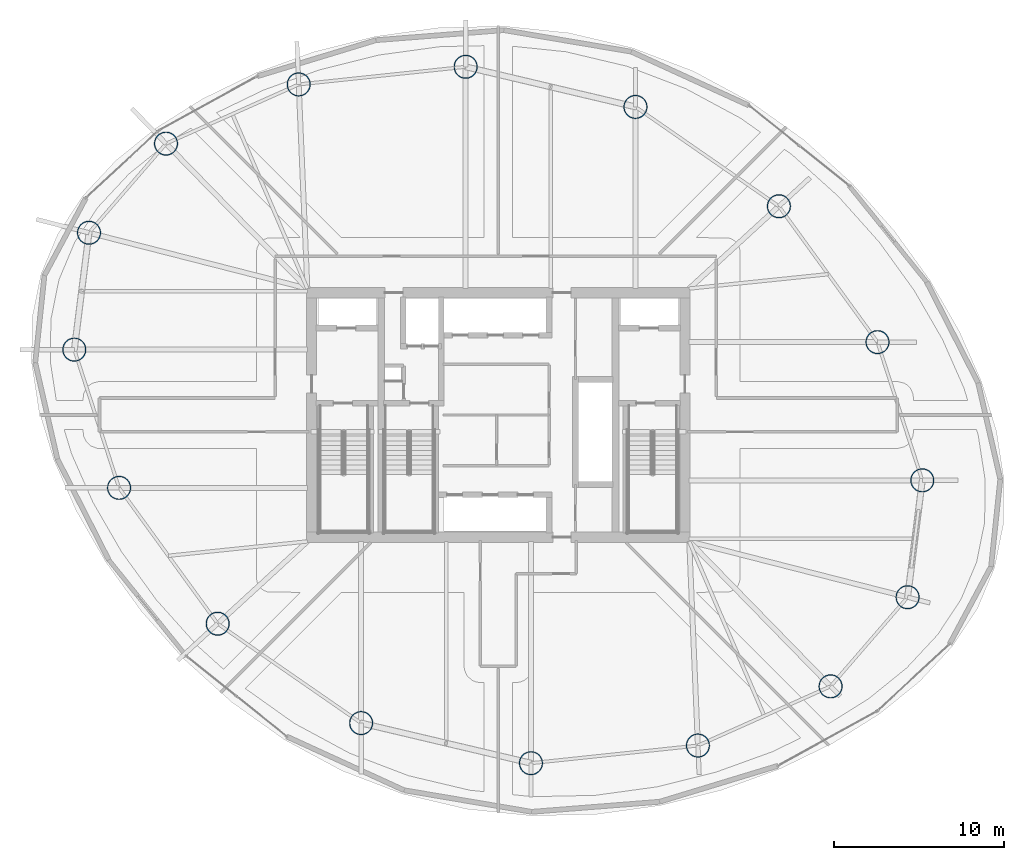
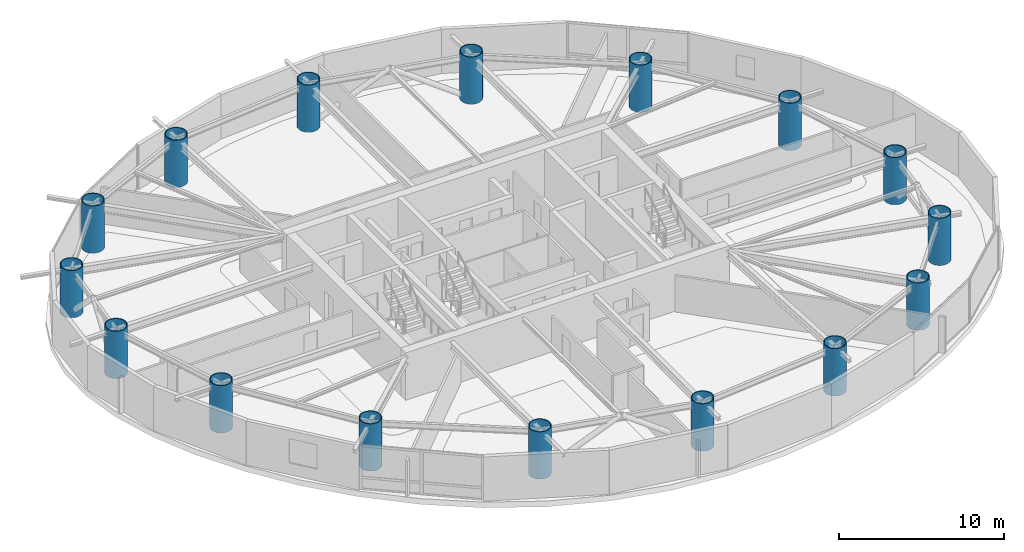
# One storey, part 1 of 21: 16 columns.
"""IFC4 building model written with IfcOpenShell, lengths in metres."""

from ifc_helpers import new_model, si_unit, direction, frame, origin, origin_2d, place, context, subcontext, project, spatial, hollow_circle, extrude, material, material_profile, profile_set, type_object, element, save


model = new_model("IFC4")

# Units and contexts
model_context = context("Model", 3, precision=1e-05, world=origin(), true_north=direction((0.0, 1.0)))
body_context = subcontext(model_context, "Body", "Model", "MODEL_VIEW")
ifc_project = project(units=[si_unit("LENGTHUNIT", "METRE"), si_unit("AREAUNIT", "SQUARE_METRE"), si_unit("VOLUMEUNIT", "CUBIC_METRE"), si_unit("PLANEANGLEUNIT", "RADIAN"), si_unit("MASSUNIT", "GRAM", prefix="KILO")], contexts=[model_context])

# Site, building, storey
site_placement = place(None, origin())
site = spatial("IfcSite", under=ifc_project, at=site_placement, CompositionType="ELEMENT")
building_placement = place(site_placement, origin())
building = spatial("IfcBuilding", under=site, at=building_placement, Name="Bramvorn Convention Spire", CompositionType="ELEMENT")
storey_placement = place(building_placement, frame((0.0, 0.0, 102.800048828125)))
storey = spatial("IfcBuildingStorey", under=building, at=storey_placement, Name="L24", CompositionType="ELEMENT", Elevation=102.800048828125)

# Columns
ifc_material = material(Name="Steel CSA G40.21 Grade 350 (350W)", Category="steel")
ifc_material_profile = material_profile(ifc_material, hollow_circle(Radius=0.699951171875, WallThickness=0.054931640625, at=origin_2d()))
ifc_profile_set = profile_set([ifc_material_profile], Name="Steel CSA G40.21 Grade 350 (350W) - CFT1400X55")
column_type = type_object("IfcColumnType", Name="COL-CFT1400X55", PredefinedType="COLUMN", material=ifc_profile_set)
for number, where, z_axis, x_axis, name in (
    (1, (62.11767578125, 15.26220703125, 0.0), (0.0, 0.0, 1.0), (1.0, 0.0, 0.0), "L24 composite CFT mega-column MC01"),
    (2, (62.983642578125, 22.148193359375, 0.0), (0.0, 0.0, 1.0), (1.0, 0.0, 0.0), "L24 composite CFT mega-column MC02"),
    (3, (60.345703125, 30.293212890625, 0.0), (0.0, 0.0, 1.0), (1.0, 0.0, 0.0), "L24 composite CFT mega-column MC03"),
    (4, (54.534912109375, 38.299072265625, 0.0), (0.0, 0.0, 1.0), (1.0, 0.0, 0.0), "L24 composite CFT mega-column MC04"),
    (5, (46.082763671875, 44.154052734375, 0.0), (0.0, 0.0, 1.0), (1.0, 0.0, 0.0), "L24 composite CFT mega-column MC05"),
    (6, (36.075927734375, 46.517333984375, 0.0), (0.0, 0.0, 1.0), (1.0, 0.0, 0.0), "L24 composite CFT mega-column MC06"),
    (7, (26.23828125, 45.478759765625, 0.0), (0.0, 0.0, 1.0), (1.0, 0.0, 0.0), "L24 composite CFT mega-column MC07"),
    (8, (18.420166015625, 41.9892578125, 0.0), (0.0, 0.0, 1.0), (1.0, 0.0, 0.0), "L24 composite CFT mega-column MC08"),
    (9, (13.88232421875, 36.73779296875, 0.0), (0.0, 0.0, 1.0), (1.0, 0.0, 0.0), "L24 composite CFT mega-column MC09"),
    (10, (13.016357421875, 29.851806640625, 0.0), (0.0, 0.0, 1.0), (1.0, 0.0, 0.0), "L24 composite CFT mega-column MC10"),
    (11, (15.654296875, 21.706787109375, 0.0), (0.0, 0.0, 1.0), (1.0, 0.0, 0.0), "L24 composite CFT mega-column MC11"),
    (12, (21.465087890625, 13.700927734375, 0.0), (0.0, 0.0, 1.0), (1.0, 0.0, 0.0), "L24 composite CFT mega-column MC12"),
    (13, (29.917236328125, 7.845947265625, 0.0), (0.0, 0.0, 1.0), (1.0, 0.0, 0.0), "L24 composite CFT mega-column MC13"),
    (14, (39.924072265625, 5.482666015625, 0.0), (0.0, 0.0, 1.0), (1.0, 0.0, 0.0), "L24 composite CFT mega-column MC14"),
    (15, (49.76171875, 6.521240234375, 0.0), (0.0, 0.0, 1.0), (1.0, 0.0, 0.0), "L24 composite CFT mega-column MC15"),
    (16, (57.579833984375, 10.0107421875, 0.0), (0.0, 0.0, 1.0), (1.0, 0.0, 0.0), "L24 composite CFT mega-column MC16"),
):
    element("IfcColumn", number, at=place(storey_placement, frame(where, z_axis=z_axis, x_axis=x_axis)), inside=storey, type_object=column_type, Name=name, PredefinedType="COLUMN", context=body_context, shape_type="SweptSolid", body=[
        extrude(hollow_circle(Radius=0.699951171875, WallThickness=0.054931640625, at=origin_2d()), origin(), (0.0, 0.0, 1.0), 3.5),
    ])

save(model, "model.ifc")
